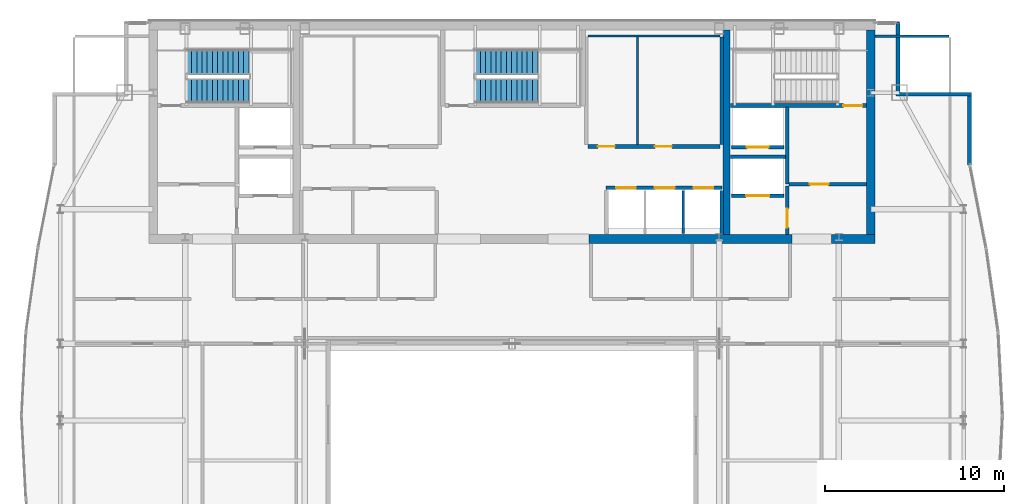
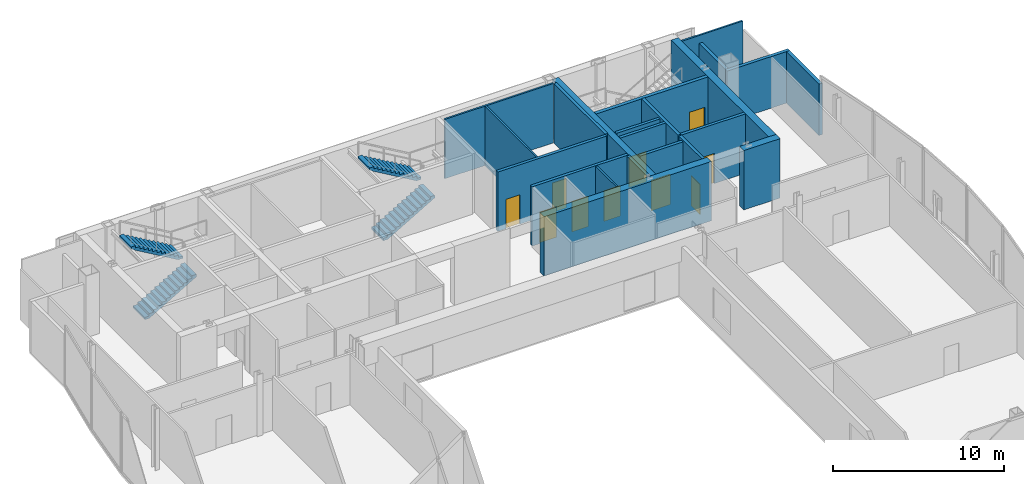
# One storey, part 24 of 27: 22 walls, 10 doors, 4 stair flights, 10 openings, 2 elements without a shape of their own.
"""IFC4 building model written with IfcOpenShell, lengths in metres."""

from ifc_helpers import new_model, si_unit, direction, frame, frame_2d, origin, place, context, subcontext, project, spatial, polyline, rectangle, outline, extrude, material, layer, layer_set, type_object, element, fill, aggregate, save


model = new_model("IFC4")

# Units and contexts
model_context = context("Model", 3, precision=1e-05, world=origin(), true_north=direction((0.0, 1.0)))
body_context = subcontext(model_context, "Body", "Model", "MODEL_VIEW")
ifc_project = project(units=[si_unit("LENGTHUNIT", "METRE"), si_unit("AREAUNIT", "SQUARE_METRE"), si_unit("VOLUMEUNIT", "CUBIC_METRE"), si_unit("PLANEANGLEUNIT", "RADIAN"), si_unit("MASSUNIT", "GRAM", prefix="KILO")], contexts=[model_context])

# Site, building, storey
site_placement = place(None, origin())
site = spatial("IfcSite", under=ifc_project, at=site_placement, CompositionType="ELEMENT")
building_placement = place(site_placement, origin())
building = spatial("IfcBuilding", under=site, at=building_placement, Name="Khoronbel Lancet Exchange", CompositionType="ELEMENT")
storey_placement = place(building_placement, frame((0.0, 0.0, 310.199951171875)))
storey = spatial("IfcBuildingStorey", under=building, at=storey_placement, Name="L80", CompositionType="ELEMENT", Elevation=310.199951171875)

# Walls
ifc_material_1 = material(Name="Concrete C60/75", Category="concrete")
ifc_layer_1 = layer(ifc_material_1, 0.5, Name="Concrete C60/75")
ifc_layer_set_1 = layer_set([ifc_layer_1], Name="Concrete C60/75")
wall_type_1 = type_object("IfcWallType", Name="WL-CW4", PredefinedType="SHEAR", material=ifc_layer_set_1)
wall_1_placement = place(storey_placement, frame((56.449951171875, 53.199951171875, 0.0), z_axis=(0.0, 0.0, 1.0), x_axis=(0.0, -1.0, 0.0)))
element("IfcWall", 1, at=wall_1_placement, inside=storey, type_object=wall_type_1, Name="Level L80 rear core east shear wall", PredefinedType="SHEAR", context=body_context, shape_type="SweptSolid", body=[
    extrude(rectangle(XDim=11.39990234375, YDim=0.5, at=frame_2d((5.699951171875, 0.0))), origin(), (0.0, 0.0, 1.0), 4.239990234375),
])
wall_2_placement = place(storey_placement, frame((52.050048828125, 41.550048828125, 0.0), z_axis=(0.0, 0.0, 1.0), x_axis=(-1.0, 0.0, 0.0)))
element("IfcWall", 2, at=wall_2_placement, inside=storey, type_object=wall_type_1, Name="Level L80 rear core south shear wall pier P4", PredefinedType="SHEAR", context=body_context, shape_type="SweptSolid", body=[
    extrude(rectangle(XDim=11.300048828125, YDim=0.5, at=frame_2d((5.64990234375, 0.0))), origin(), (0.0, 0.0, 1.0), 4.239990234375),
])
wall_3_placement = place(storey_placement, frame((56.699951171875, 41.550048828125, 0.0), z_axis=(0.0, 0.0, 1.0), x_axis=(-1.0, 0.0, 0.0)))
element("IfcWall", 3, at=wall_3_placement, inside=storey, type_object=wall_type_1, Name="Level L80 rear core south shear wall pier P5", PredefinedType="SHEAR", context=body_context, shape_type="SweptSolid", body=[
    extrude(rectangle(XDim=2.449951171875, YDim=0.5, at=frame_2d((1.22509765625, 0.0))), origin(), (0.0, 0.0, 1.0), 4.239990234375),
])
ifc_material_2 = material(Name="Precast concrete C40/50", Category="concrete")
ifc_layer_2 = layer(ifc_material_2, 0.25, Name="Precast concrete C40/50")
ifc_layer_set_2 = layer_set([ifc_layer_2], Name="Precast concrete C40/50")
wall_type_2 = type_object("IfcWallType", Name="WL-EXT250", PredefinedType="SOLIDWALL", material=ifc_layer_set_2)
wall_4_placement = place(storey_placement, frame((57.9599609375, 53.6298828125, 0.0), z_axis=(0.0, 0.0, 1.0), x_axis=(0.0, -1.0, 0.0)))
element("IfcWall", 4, at=wall_4_placement, inside=storey, type_object=wall_type_2, Name="Level L80 notched-corner limestone pier 14", PredefinedType="SOLIDWALL", context=body_context, shape_type="SweptSolid", body=[
    extrude(rectangle(XDim=3.909912109375, YDim=0.219970703125, at=frame_2d((1.955078125, 0.0))), origin(), (0.0, 0.0, 1.0), 3.679931640625),
])
wall_5_placement = place(storey_placement, frame((57.85009765625, 49.610107421875, 0.0), z_axis=(0.0, 0.0, 1.0), x_axis=(1.0, 0.0, 0.0)))
element("IfcWall", 5, at=wall_5_placement, inside=storey, type_object=wall_type_2, Name="Level L80 notched-corner limestone pier 15", PredefinedType="SOLIDWALL", context=body_context, shape_type="SweptSolid", body=[
    extrude(rectangle(XDim=4.219970703125, YDim=0.219970703125, at=frame_2d((2.10986328125, 0.0))), origin(), (0.0, 0.0, 1.0), 3.679931640625),
])
wall_6_placement = place(storey_placement, frame((61.9599609375, 49.5, 0.0), z_axis=(0.0, 0.0, 1.0), x_axis=(0.0, -1.0, 0.0)))
element("IfcWall", 6, at=wall_6_placement, inside=storey, type_object=wall_type_2, Name="Level L80 notched-corner limestone pier 16", PredefinedType="SOLIDWALL", context=body_context, shape_type="SweptSolid", body=[
    extrude(rectangle(XDim=3.82861328125, YDim=0.219970703125, at=frame_2d((1.914306640625, 0.0))), origin(), (0.0, 0.0, 1.0), 3.679931640625),
])
ifc_material_3 = material(Name="Acoustic Metal-Stud & Mineral-Wool Gypsum Partition 120 mm", Category="gypsum")
ifc_layer_3 = layer(ifc_material_3, 0.1201171875, Name="Acoustic Metal-Stud & Mineral-Wool Gypsum Partition 120 mm")
ifc_layer_set_3 = layer_set([ifc_layer_3], Name="Acoustic Metal-Stud & Mineral-Wool Gypsum Partition 120 mm")
wall_type_3 = type_object("IfcWallType", Name="WL-PRT120", PredefinedType="PARTITIONING", material=ifc_layer_set_3)
wall_7_placement = place(storey_placement, frame((56.699951171875, 52.840087890625, 0.0), z_axis=(0.0, 0.0, 1.0), x_axis=(1.0, 0.0, 0.0)))
element("IfcWall", 7, at=wall_7_placement, inside=storey, type_object=wall_type_3, Name="Level L80 interior partition PW-LIN-NE", PredefinedType="PARTITIONING", context=body_context, shape_type="SweptSolid", body=[
    extrude(rectangle(XDim=4.10498046875, YDim=0.1201171875, at=frame_2d((2.052490234375, 0.0))), origin(), (0.0, 0.0, 1.0), 4.239990234375),
])
ifc_material_4 = material(Name="Fire-Rated Metal-Stud & Mineral-Wool Gypsum Partition 120 mm", Category="gypsum")
ifc_layer_4 = layer(ifc_material_4, 0.1201171875, Name="Fire-Rated Metal-Stud & Mineral-Wool Gypsum Partition 120 mm")
ifc_layer_set_4 = layer_set([ifc_layer_4], Name="Fire-Rated Metal-Stud & Mineral-Wool Gypsum Partition 120 mm")
wall_type_4 = type_object("IfcWallType", Name="WL-PRT120F", PredefinedType="PARTITIONING", material=ifc_layer_set_4)
wall_8_placement = place(storey_placement, frame((40.68505859375, 52.860107421875, 0.0), z_axis=(0.0, 0.0, 1.0), x_axis=(1.0, 0.0, 0.0)))
element("IfcWall", 8, at=wall_8_placement, inside=storey, type_object=wall_type_4, Name="Level L80 interior partition CW-PH-RN", PredefinedType="PARTITIONING", context=body_context, shape_type="SweptSolid", body=[
    extrude(rectangle(XDim=7.349853515625, YDim=0.1201171875, at=frame_2d((3.6748046875, 0.0))), origin(), (0.0, 0.0, 1.0), 4.239990234375),
])
wall_9_placement = place(storey_placement, frame((43.452880859375, 46.804931640625, 0.0), z_axis=(0.0, 0.0, 1.0), x_axis=(0.0, 1.0, 0.0)))
element("IfcWall", 9, at=wall_9_placement, inside=storey, type_object=wall_type_4, Name="Level L80 interior partition CW-PH-RS1", PredefinedType="PARTITIONING", context=body_context, shape_type="SweptSolid", body=[
    extrude(rectangle(XDim=5.989990234375, YDim=0.1201171875, at=frame_2d((2.9951171875, 0.0))), origin(), (0.0, 0.0, 1.0), 4.239990234375),
])
wall_10_placement = place(storey_placement, frame((46.0, 41.85009765625, 0.0), z_axis=(0.0, 0.0, 1.0), x_axis=(0.0, 1.0, 0.0)))
element("IfcWall", 10, at=wall_10_placement, inside=storey, type_object=wall_type_4, Name="Level L80 interior partition CW-PX-D2", PredefinedType="PARTITIONING", context=body_context, shape_type="SweptSolid", body=[
    extrude(rectangle(XDim=2.39990234375, YDim=0.1201171875, at=frame_2d((1.199951171875, 0.0))), origin(), (0.0, 0.0, 1.0), 4.239990234375),
])

# Wall, openings, doors
ifc_material_5 = material(Name="Autoclaved Aerated Concrete Blockwork 200 mm", Category="masonry")
ifc_layer_5 = layer(ifc_material_5, 0.199951171875, Name="Autoclaved Aerated Concrete Blockwork 200 mm")
ifc_layer_set_5 = layer_set([ifc_layer_5], Name="Autoclaved Aerated Concrete Blockwork 200 mm")
wall_type_5 = type_object("IfcWallType", Name="WL-PRT200", PredefinedType="PARTITIONING", material=ifc_layer_set_5)
wall_11_placement = place(storey_placement, frame((41.679931640625, 44.39990234375, 0.0), z_axis=(0.0, 0.0, 1.0), x_axis=(1.0, 0.0, 0.0)))
wall_11 = element("IfcWall", 11, at=wall_11_placement, inside=storey, type_object=wall_type_5, Name="Level L80 elevator hoistway landing front wall PXE", PredefinedType="PARTITIONING", context=body_context, shape_type="SweptSolid", body=[
    extrude(rectangle(XDim=6.47998046875, YDim=0.199951171875, at=frame_2d((3.239990234375, 0.0))), origin(), (0.0, 0.0, 1.0), 4.239990234375),
])
opening_1_placement = place(wall_11_placement, frame((0.580078125, 0.0, 0.0)))
opening_1 = element("IfcOpeningElement", 12, at=opening_1_placement, cuts=wall_11, Name="Opening LD-PX1", PredefinedType="OPENING", context=body_context, shape_type="SweptSolid", body=[
    extrude(rectangle(XDim=1.10009765625, YDim=2.179931640625, at=frame_2d((0.550048828125, 1.08984375))), frame((0.0, 0.10986328125, 0.0), z_axis=(0.0, -1.0, 0.0), x_axis=(1.0, 0.0, 0.0)), (0.0, 0.0, 1.0), 0.219970703125),
])
opening_2_placement = place(wall_11_placement, frame((2.739990234375, 0.0, 0.0)))
opening_2 = element("IfcOpeningElement", 13, at=opening_2_placement, cuts=wall_11, Name="Opening LD-PX2", PredefinedType="OPENING", context=body_context, shape_type="SweptSolid", body=[
    extrude(rectangle(XDim=1.10009765625, YDim=2.179931640625, at=frame_2d((0.550048828125, 1.08984375))), frame((0.0, 0.10986328125, 0.0), z_axis=(0.0, -1.0, 0.0), x_axis=(1.0, 0.0, 0.0)), (0.0, 0.0, 1.0), 0.219970703125),
])
opening_3_placement = place(wall_11_placement, frame((4.89990234375, 0.0, 0.0)))
opening_3 = element("IfcOpeningElement", 14, at=opening_3_placement, cuts=wall_11, Name="Opening LD-PX3", PredefinedType="OPENING", context=body_context, shape_type="SweptSolid", body=[
    extrude(rectangle(XDim=1.10009765625, YDim=2.179931640625, at=frame_2d((0.550048828125, 1.08984375))), frame((0.0, 0.10986328125, 0.0), z_axis=(0.0, -1.0, 0.0), x_axis=(1.0, 0.0, 0.0)), (0.0, 0.0, 1.0), 0.219970703125),
])
ifc_material_6 = material(Name="Brushed Bronze Bi-Parting Elevator Landing Door", Category="steel")
door_type_1 = type_object("IfcDoorType", Name="DR-LD-PAX", OperationType="NOTDEFINED", PredefinedType="DOOR", material=ifc_material_6)
door_1_placement = place(opening_1_placement, origin())
door_1 = element("IfcDoor", 15, at=door_1_placement, inside=storey, type_object=door_type_1, Name="Elevator landing sliding door LD-PX1 L80", OperationType="SLIDING_TO_LEFT", OverallHeight=2.179931640625, OverallWidth=1.10009765625, PredefinedType="DOOR", context=body_context, shape_type="SweptSolid", body=[
    extrude(rectangle(XDim=1.10009765625, YDim=2.179931640625, at=frame_2d((0.550048828125, 1.08984375))), frame((0.0, 0.02490234375, 0.0), z_axis=(0.0, -1.0, 0.0), x_axis=(1.0, 0.0, 0.0)), (0.0, 0.0, 1.0), 0.050048828125),
])
fill(opening_1, door_1)
door_2_placement = place(opening_2_placement, origin())
door_2 = element("IfcDoor", 16, at=door_2_placement, inside=storey, type_object=door_type_1, Name="Elevator landing sliding door LD-PX2 L80", OperationType="SLIDING_TO_LEFT", OverallHeight=2.179931640625, OverallWidth=1.10009765625, PredefinedType="DOOR", context=body_context, shape_type="SweptSolid", body=[
    extrude(rectangle(XDim=1.10009765625, YDim=2.179931640625, at=frame_2d((0.550048828125, 1.08984375))), frame((0.0, 0.02490234375, 0.0), z_axis=(0.0, -1.0, 0.0), x_axis=(1.0, 0.0, 0.0)), (0.0, 0.0, 1.0), 0.050048828125),
])
fill(opening_2, door_2)
door_3_placement = place(opening_3_placement, origin())
door_3 = element("IfcDoor", 17, at=door_3_placement, inside=storey, type_object=door_type_1, Name="Elevator landing sliding door LD-PX3 L80", OperationType="SLIDING_TO_LEFT", OverallHeight=2.179931640625, OverallWidth=1.10009765625, PredefinedType="DOOR", context=body_context, shape_type="SweptSolid", body=[
    extrude(rectangle(XDim=1.10009765625, YDim=2.179931640625, at=frame_2d((0.550048828125, 1.08984375))), frame((0.0, 0.02490234375, 0.0), z_axis=(0.0, -1.0, 0.0), x_axis=(1.0, 0.0, 0.0)), (0.0, 0.0, 1.0), 0.050048828125),
])
fill(opening_3, door_3)

# Wall, opening, door
wall_12_placement = place(storey_placement, frame((51.610107421875, 43.949951171875, 0.0), z_axis=(0.0, 0.0, 1.0), x_axis=(-1.0, 0.0, 0.0)))
wall_12 = element("IfcWall", 18, at=wall_12_placement, inside=storey, type_object=wall_type_5, Name="Level L80 elevator hoistway landing front wall SVLE", PredefinedType="PARTITIONING", context=body_context, shape_type="SweptSolid", body=[
    extrude(rectangle(XDim=2.920166015625, YDim=0.199951171875, at=frame_2d((1.4599609375, 0.0))), origin(), (0.0, 0.0, 1.0), 4.239990234375),
])
opening_4_placement = place(wall_12_placement, frame((0.81005859375, 0.0, 0.0)))
opening_4 = element("IfcOpeningElement", 19, at=opening_4_placement, cuts=wall_12, Name="Opening LD-SVL2", PredefinedType="OPENING", context=body_context, shape_type="SweptSolid", body=[
    extrude(rectangle(XDim=1.300048828125, YDim=2.179931640625, at=frame_2d((0.64990234375, 1.08984375))), frame((0.0, 0.10986328125, 0.0), z_axis=(0.0, -1.0, 0.0), x_axis=(1.0, 0.0, 0.0)), (0.0, 0.0, 1.0), 0.219970703125),
])
ifc_material_7 = material(Name="Heavy-Duty Bi-Parting Goods Lift Landing Door", Category="steel")
door_type_2 = type_object("IfcDoorType", Name="DR-LD-SVL", OperationType="NOTDEFINED", PredefinedType="DOOR", material=ifc_material_7)
door_4_placement = place(opening_4_placement, origin())
door_4 = element("IfcDoor", 20, at=door_4_placement, inside=storey, type_object=door_type_2, Name="Elevator landing sliding door LD-SVL2 L80", OperationType="SLIDING_TO_LEFT", OverallHeight=2.179931640625, OverallWidth=1.300048828125, PredefinedType="DOOR", context=body_context, shape_type="SweptSolid", body=[
    extrude(rectangle(XDim=1.300048828125, YDim=2.179931640625, at=frame_2d((0.64990234375, 1.08984375))), frame((0.0, 0.02490234375, 0.0), z_axis=(0.0, -1.0, 0.0), x_axis=(1.0, 0.0, 0.0)), (0.0, 0.0, 1.0), 0.050048828125),
])
fill(opening_4, door_4)

wall_13_placement = place(storey_placement, frame((51.610107421875, 46.64990234375, 0.0), z_axis=(0.0, 0.0, 1.0), x_axis=(-1.0, 0.0, 0.0)))
wall_13 = element("IfcWall", 21, at=wall_13_placement, inside=storey, type_object=wall_type_5, Name="Level L80 elevator hoistway landing front wall FFLE", PredefinedType="PARTITIONING", context=body_context, shape_type="SweptSolid", body=[
    extrude(rectangle(XDim=2.920166015625, YDim=0.199951171875, at=frame_2d((1.4599609375, 0.0))), origin(), (0.0, 0.0, 1.0), 4.239990234375),
])
opening_5_placement = place(wall_13_placement, frame((0.860107421875, 0.0, 0.0)))
opening_5 = element("IfcOpeningElement", 22, at=opening_5_placement, cuts=wall_13, Name="Opening LD-FFL2", PredefinedType="OPENING", context=body_context, shape_type="SweptSolid", body=[
    extrude(rectangle(XDim=1.199951171875, YDim=2.179931640625, at=frame_2d((0.60009765625, 1.08984375))), frame((0.0, 0.10986328125, 0.0), z_axis=(0.0, -1.0, 0.0), x_axis=(1.0, 0.0, 0.0)), (0.0, 0.0, 1.0), 0.219970703125),
])
ifc_material_8 = material(Name="Fire-Rated Stainless Bi-Parting Firefighting Lift Door", Category="steel")
door_type_3 = type_object("IfcDoorType", Name="DR-LD-FFL", OperationType="NOTDEFINED", PredefinedType="DOOR", material=ifc_material_8)
door_5_placement = place(opening_5_placement, origin())
door_5 = element("IfcDoor", 23, at=door_5_placement, inside=storey, type_object=door_type_3, Name="Elevator landing sliding door LD-FFL2 L80", OperationType="SLIDING_TO_LEFT", OverallHeight=2.179931640625, OverallWidth=1.199951171875, PredefinedType="DOOR", context=body_context, shape_type="SweptSolid", body=[
    extrude(rectangle(XDim=1.199951171875, YDim=2.179931640625, at=frame_2d((0.60009765625, 1.08984375))), frame((0.0, 0.02490234375, 0.0), z_axis=(0.0, -1.0, 0.0), x_axis=(1.0, 0.0, 0.0)), (0.0, 0.0, 1.0), 0.050048828125),
])
fill(opening_5, door_5)

# Wall
wall_14_placement = place(storey_placement, frame((51.800048828125, 44.60009765625, 0.0), z_axis=(0.0, 0.0, 1.0), x_axis=(0.0, 1.0, 0.0)))
element("IfcWall", 24, at=wall_14_placement, inside=storey, type_object=wall_type_5, Name="Level L80 interior partition CW-FFLE-W", PredefinedType="PARTITIONING", context=body_context, shape_type="SweptSolid", body=[
    extrude(rectangle(XDim=4.2998046875, YDim=0.199951171875, at=frame_2d((2.14990234375, 0.0))), origin(), (0.0, 0.0, 1.0), 4.239990234375),
])

# Wall, opening, door
wall_15_placement = place(storey_placement, frame((51.89990234375, 44.60009765625, 0.0), z_axis=(0.0, 0.0, 1.0), x_axis=(1.0, 0.0, 0.0)))
wall_15 = element("IfcWall", 25, at=wall_15_placement, inside=storey, type_object=wall_type_5, Name="Level L80 interior partition CW-FFLE-S", PredefinedType="PARTITIONING", context=body_context, shape_type="SweptSolid", body=[
    extrude(rectangle(XDim=4.300048828125, YDim=0.199951171875, at=frame_2d((2.14990234375, 0.0))), origin(), (0.0, 0.0, 1.0), 4.239990234375),
])
opening_6_placement = place(wall_15_placement, frame((1.14990234375, 0.0, 0.0)))
opening_6 = element("IfcOpeningElement", 26, at=opening_6_placement, cuts=wall_15, Name="Opening FD1", PredefinedType="OPENING", context=body_context, shape_type="SweptSolid", body=[
    extrude(rectangle(XDim=1.050048828125, YDim=2.14990234375, at=frame_2d((0.52490234375, 1.074951171875))), frame((0.0, 0.10986328125, 0.0), z_axis=(0.0, -1.0, 0.0), x_axis=(1.0, 0.0, 0.0)), (0.0, 0.0, 1.0), 0.219970703125),
])
ifc_material_9 = material(Name="Fire-Rated Painted Steel Door Assembly", Category="steel")
door_type_4 = type_object("IfcDoorType", Name="DR-FD1", OperationType="NOTDEFINED", PredefinedType="DOOR", material=ifc_material_9)
door_6_placement = place(opening_6_placement, origin())
door_6 = element("IfcDoor", 27, at=door_6_placement, inside=storey, type_object=door_type_4, Name="East firefighting lobby FD90S door L80-1", OperationType="SINGLE_SWING_RIGHT", OverallHeight=2.14990234375, OverallWidth=1.050048828125, PredefinedType="DOOR", context=body_context, shape_type="SweptSolid", body=[
    extrude(rectangle(XDim=1.050048828125, YDim=2.14990234375, at=frame_2d((0.52490234375, 1.074951171875))), frame((0.0, 0.02490234375, 0.0), z_axis=(0.0, -1.0, 0.0), x_axis=(1.0, 0.0, 0.0)), (0.0, 0.0, 1.0), 0.050048828125),
])
fill(opening_6, door_6)

# Wall
wall_16_placement = place(storey_placement, frame((48.6298828125, 46.1201171875, 0.0), z_axis=(0.0, 0.0, 1.0), x_axis=(1.0, 0.0, 0.0)))
element("IfcWall", 28, at=wall_16_placement, inside=storey, type_object=wall_type_5, Name="Level L80 interior partition CW-FFL2-S", PredefinedType="PARTITIONING", context=body_context, shape_type="SweptSolid", body=[
    extrude(rectangle(XDim=3.070068359375, YDim=0.199951171875, at=frame_2d((1.53515625, 0.0))), origin(), (0.0, 0.0, 1.0), 4.239990234375),
])

# Wall, opening, door
wall_17_placement = place(storey_placement, frame((51.800048828125, 41.800048828125, 0.0), z_axis=(0.0, 0.0, 1.0), x_axis=(0.0, 1.0, 0.0)))
wall_17 = element("IfcWall", 29, at=wall_17_placement, inside=storey, type_object=wall_type_5, Name="Level L80 interior partition CW-SVLE-E", PredefinedType="PARTITIONING", context=body_context, shape_type="SweptSolid", body=[
    extrude(rectangle(XDim=2.695068359375, YDim=0.199951171875, at=frame_2d((1.34765625, 0.0))), origin(), (0.0, 0.0, 1.0), 4.239990234375),
])
opening_7_placement = place(wall_17_placement, frame((0.3798828125, 0.0, 0.0)))
opening_7 = element("IfcOpeningElement", 30, at=opening_7_placement, cuts=wall_17, Name="Opening FD1", PredefinedType="OPENING", context=body_context, shape_type="SweptSolid", body=[
    extrude(rectangle(XDim=1.050048828125, YDim=2.14990234375, at=frame_2d((0.52490234375, 1.074951171875))), frame((0.0, 0.10986328125, 0.0), z_axis=(0.0, -1.0, 0.0), x_axis=(1.0, 0.0, 0.0)), (0.0, 0.0, 1.0), 0.219970703125),
])
door_7_placement = place(opening_7_placement, origin())
door_7 = element("IfcDoor", 31, at=door_7_placement, inside=storey, type_object=door_type_4, Name="East service lift lobby door L80-1", OperationType="SINGLE_SWING_LEFT", OverallHeight=2.14990234375, OverallWidth=1.050048828125, PredefinedType="DOOR", context=body_context, shape_type="SweptSolid", body=[
    extrude(rectangle(XDim=1.050048828125, YDim=2.14990234375, at=frame_2d((0.52490234375, 1.074951171875))), frame((0.0, 0.02490234375, 0.0), z_axis=(0.0, -1.0, 0.0), x_axis=(1.0, 0.0, 0.0)), (0.0, 0.0, 1.0), 0.050048828125),
])
fill(opening_7, door_7)

# Wall
wall_18_placement = place(storey_placement, frame((48.139892578125, 46.804931640625, 0.0), z_axis=(0.0, 0.0, 1.0), x_axis=(0.0, 1.0, 0.0)))
element("IfcWall", 32, at=wall_18_placement, inside=storey, type_object=wall_type_5, Name="Level L80 interior partition CW-PH-RE", PredefinedType="PARTITIONING", context=body_context, shape_type="SweptSolid", body=[
    extrude(rectangle(XDim=5.989990234375, YDim=0.199951171875, at=frame_2d((2.9951171875, 0.0))), origin(), (0.0, 0.0, 1.0), 4.239990234375),
])

# Wall, openings, doors
wall_19_placement = place(storey_placement, frame((40.68505859375, 46.699951171875, 0.0), z_axis=(0.0, 0.0, 1.0), x_axis=(1.0, 0.0, 0.0)))
wall_19 = element("IfcWall", 33, at=wall_19_placement, inside=storey, type_object=wall_type_5, Name="Level L80 interior partition CW-PH-RF", PredefinedType="PARTITIONING", context=body_context, shape_type="SweptSolid", body=[
    extrude(rectangle(XDim=7.349853515625, YDim=0.199951171875, at=frame_2d((3.6748046875, 0.0))), origin(), (0.0, 0.0, 1.0), 4.239990234375),
])
opening_8_placement = place(wall_19_placement, frame((0.550048828125, 0.0, 0.0)))
opening_8 = element("IfcOpeningElement", 34, at=opening_8_placement, cuts=wall_19, Name="Opening FD3", PredefinedType="OPENING", context=body_context, shape_type="SweptSolid", body=[
    extrude(rectangle(XDim=0.949951171875, YDim=2.10009765625, at=frame_2d((0.47509765625, 1.050048828125))), frame((0.0, 0.10986328125, 0.0), z_axis=(0.0, -1.0, 0.0), x_axis=(1.0, 0.0, 0.0)), (0.0, 0.0, 1.0), 0.219970703125),
])
opening_9_placement = place(wall_19_placement, frame((3.722900390625, 0.0, 0.0)))
opening_9 = element("IfcOpeningElement", 35, at=opening_9_placement, cuts=wall_19, Name="Opening FD3", PredefinedType="OPENING", context=body_context, shape_type="SweptSolid", body=[
    extrude(rectangle(XDim=0.949951171875, YDim=2.10009765625, at=frame_2d((0.47509765625, 1.050048828125))), frame((0.0, 0.10986328125, 0.0), z_axis=(0.0, -1.0, 0.0), x_axis=(1.0, 0.0, 0.0)), (0.0, 0.0, 1.0), 0.219970703125),
])
ifc_material_10 = material(Name="Fire-Rated Steel Plant & Riser Door Assembly", Category="steel")
door_type_5 = type_object("IfcDoorType", Name="DR-FD3", OperationType="NOTDEFINED", PredefinedType="DOOR", material=ifc_material_10)
door_8_placement = place(opening_8_placement, origin())
door_8 = element("IfcDoor", 36, at=door_8_placement, inside=storey, type_object=door_type_5, Name="Reclaimed PH A door L80-1", OperationType="SINGLE_SWING_RIGHT", OverallHeight=2.10009765625, OverallWidth=0.949951171875, PredefinedType="DOOR", context=body_context, shape_type="SweptSolid", body=[
    extrude(rectangle(XDim=0.949951171875, YDim=2.10009765625, at=frame_2d((0.47509765625, 1.050048828125))), frame((0.0, 0.02490234375, 0.0), z_axis=(0.0, -1.0, 0.0), x_axis=(1.0, 0.0, 0.0)), (0.0, 0.0, 1.0), 0.050048828125),
])
fill(opening_8, door_8)
door_9_placement = place(opening_9_placement, origin())
door_9 = element("IfcDoor", 37, at=door_9_placement, inside=storey, type_object=door_type_5, Name="Reclaimed PH B door L80-2", OperationType="SINGLE_SWING_LEFT", OverallHeight=2.10009765625, OverallWidth=0.949951171875, PredefinedType="DOOR", context=body_context, shape_type="SweptSolid", body=[
    extrude(rectangle(XDim=0.949951171875, YDim=2.10009765625, at=frame_2d((0.47509765625, 1.050048828125))), frame((0.0, 0.02490234375, 0.0), z_axis=(0.0, -1.0, 0.0), x_axis=(1.0, 0.0, 0.0)), (0.0, 0.0, 1.0), 0.050048828125),
])
fill(opening_9, door_9)

# Walls
wall_20_placement = place(storey_placement, frame((48.139892578125, 41.85009765625, 0.0), z_axis=(0.0, 0.0, 1.0), x_axis=(0.0, 1.0, 0.0)))
element("IfcWall", 38, at=wall_20_placement, inside=storey, type_object=wall_type_5, Name="Level L80 interior partition CW-PX-E", PredefinedType="PARTITIONING", context=body_context, shape_type="SweptSolid", body=[
    extrude(rectangle(XDim=2.39990234375, YDim=0.199951171875, at=frame_2d((1.199951171875, 0.0))), origin(), (0.0, 0.0, 1.0), 4.239990234375),
])
ifc_layer_6 = layer(ifc_material_1, 0.39990234375, Name="Concrete C60/75")
ifc_layer_set_6 = layer_set([ifc_layer_6], Name="Concrete C60/75")
wall_type_6 = type_object("IfcWallType", Name="WL-SW2", PredefinedType="SHEAR", material=ifc_layer_set_6)
wall_21_placement = place(storey_placement, frame((48.39990234375, 41.800048828125, 0.0), z_axis=(0.0, 0.0, 1.0), x_axis=(0.0, 1.0, 0.0)))
element("IfcWall", 39, at=wall_21_placement, inside=storey, type_object=wall_type_6, Name="Level L80 rear core internal spine shear wall IE", PredefinedType="SHEAR", context=body_context, shape_type="SweptSolid", body=[
    extrude(rectangle(XDim=11.39990234375, YDim=0.39990234375, at=frame_2d((5.699951171875, 0.0))), origin(), (0.0, 0.0, 1.0), 4.239990234375),
])

# Wall, opening, door
ifc_layer_7 = layer(ifc_material_1, 0.260009765625, Name="Concrete C60/75")
ifc_layer_set_7 = layer_set([ifc_layer_7], Name="Concrete C60/75")
wall_type_7 = type_object("IfcWallType", Name="WL-SW3", PredefinedType="SHEAR", material=ifc_layer_set_7)
wall_22_placement = place(storey_placement, frame((48.6298828125, 48.97998046875, 0.0), z_axis=(0.0, 0.0, 1.0), x_axis=(1.0, 0.0, 0.0)))
wall_22 = element("IfcWall", 40, at=wall_22_placement, inside=storey, type_object=wall_type_7, Name="Level L80 east stairwell structural south wall", PredefinedType="SHEAR", context=body_context, shape_type="SweptSolid", body=[
    extrude(rectangle(XDim=7.570068359375, YDim=0.239990234375, at=frame_2d((3.78515625, 0.0))), origin(), (0.0, 0.0, 1.0), 4.239990234375),
])
opening_10_placement = place(wall_22_placement, frame((6.300048828125, 0.0, 0.0)))
opening_10 = element("IfcOpeningElement", 41, at=opening_10_placement, cuts=wall_22, Name="Opening SD1", PredefinedType="OPENING", context=body_context, shape_type="SweptSolid", body=[
    extrude(rectangle(XDim=1.050048828125, YDim=2.14990234375, at=frame_2d((0.52490234375, 1.074951171875))), frame((0.0, 0.1298828125, 0.0), z_axis=(0.0, -1.0, 0.0), x_axis=(1.0, 0.0, 0.0)), (0.0, 0.0, 1.0), 0.260009765625),
])
ifc_material_11 = material(Name="Fire-Rated Steel Stairwell Door Assembly", Category="steel")
door_type_6 = type_object("IfcDoorType", Name="DR-SD1", OperationType="NOTDEFINED", PredefinedType="DOOR", material=ifc_material_11)
door_10_placement = place(opening_10_placement, origin())
door_10 = element("IfcDoor", 42, at=door_10_placement, inside=storey, type_object=door_type_6, Name="Protected exit stair ST2 door L80", OperationType="SINGLE_SWING_RIGHT", OverallHeight=2.14990234375, OverallWidth=1.050048828125, PredefinedType="DOOR", context=body_context, shape_type="SweptSolid", body=[
    extrude(rectangle(XDim=1.050048828125, YDim=2.14990234375, at=frame_2d((0.52490234375, 1.074951171875))), frame((0.0, 0.02490234375, 0.0), z_axis=(0.0, -1.0, 0.0), x_axis=(1.0, 0.0, 0.0)), (0.0, 0.0, 1.0), 0.050048828125),
])
fill(opening_10, door_10)

# Stair, stair flights
ifc_material_12 = material(Name="Concrete C40/50", Category="concrete")
stair_type = type_object("IfcStairType", Name="STR-CORE150", PredefinedType="HALF_TURN_STAIR", material=ifc_material_12)
stair_1_placement = place(storey_placement, origin())
stair_1 = element("IfcStair", 43, at=stair_1_placement, inside=storey, type_object=stair_type, Name="L80 Protected Exit Stair ST1", PredefinedType="HALF_TURN_STAIR")
stair_flight_type = type_object("IfcStairFlightType", Name="STF-150", PredefinedType="STRAIGHT", material=ifc_material_12)
stair_flight_1_placement = place(storey_placement, frame((18.300048828125, 49.81005859375, 0.0), z_axis=(0.0, 0.0, 1.0), x_axis=(1.0, 0.0, 0.0)))
stair_flight_1 = element("IfcStairFlight", 44, at=stair_flight_1_placement, type_object=stair_flight_type, Name="ST1 flight 1", NumberOfRisers=13, NumberOfTreads=12, PredefinedType="STRAIGHT", RiserHeight=0.169230769, TreadLength=0.29, context=body_context, shape_type="SweptSolid", body=[
    extrude(outline(polyline([(0.0, 0.0), (0.0, 0.169189453125), (0.2900390625, 0.169189453125), (0.2900390625, 0.33837890625), (0.580078125, 0.33837890625), (0.580078125, 0.5078125), (0.8701171875, 0.5078125), (0.8701171875, 0.677001953125), (1.159912109375, 0.677001953125), (1.159912109375, 0.84619140625), (1.449951171875, 0.84619140625), (1.449951171875, 1.015380859375), (1.739990234375, 1.015380859375), (1.739990234375, 1.1845703125), (2.030029296875, 1.1845703125), (2.030029296875, 1.353759765625), (2.320068359375, 1.353759765625), (2.320068359375, 1.523193359375), (2.610107421875, 1.523193359375), (2.610107421875, 1.6923828125), (2.89990234375, 1.6923828125), (2.89990234375, 1.861572265625), (3.18994140625, 1.861572265625), (3.18994140625, 2.03076171875), (3.47998046875, 2.03076171875), (3.47998046875, 2.199951171875), (3.47998046875, 1.857177734375), (0.29736328125, 0.0), (0.0, 0.0)])), frame((0.0, 0.68994140625, 0.0), z_axis=(0.0, -1.0, 0.0), x_axis=(1.0, 0.0, 0.0)), (0.0, 0.0, 1.0), 1.3798828125),
])
stair_flight_2_placement = place(storey_placement, frame((21.780029296875, 51.409912109375, 2.199951171875), z_axis=(0.0, 0.0, 1.0), x_axis=(-1.0, 0.0, 0.0)))
stair_flight_2 = element("IfcStairFlight", 45, at=stair_flight_2_placement, type_object=stair_flight_type, Name="ST1 flight 2", NumberOfRisers=13, NumberOfTreads=12, PredefinedType="STRAIGHT", RiserHeight=0.169230769, TreadLength=0.29, context=body_context, shape_type="SweptSolid", body=[
    extrude(outline(polyline([(0.0, 0.0), (0.0, 0.169189453125), (0.2900390625, 0.169189453125), (0.2900390625, 0.33837890625), (0.580078125, 0.33837890625), (0.580078125, 0.5078125), (0.8701171875, 0.5078125), (0.8701171875, 0.677001953125), (1.159912109375, 0.677001953125), (1.159912109375, 0.84619140625), (1.449951171875, 0.84619140625), (1.449951171875, 1.015380859375), (1.739990234375, 1.015380859375), (1.739990234375, 1.1845703125), (2.030029296875, 1.1845703125), (2.030029296875, 1.353759765625), (2.320068359375, 1.353759765625), (2.320068359375, 1.523193359375), (2.610107421875, 1.523193359375), (2.610107421875, 1.6923828125), (2.89990234375, 1.6923828125), (2.89990234375, 1.861572265625), (3.18994140625, 1.861572265625), (3.18994140625, 2.03076171875), (3.47998046875, 2.03076171875), (3.47998046875, 2.199951171875), (3.47998046875, 1.857177734375), (0.29736328125, 0.0), (0.0, 0.0)])), frame((0.0, 0.68994140625, 0.0), z_axis=(0.0, -1.0, 0.0), x_axis=(1.0, 0.0, 0.0)), (0.0, 0.0, 1.0), 1.3798828125),
])
aggregate(stair_1, [stair_flight_1, stair_flight_2])

stair_2_placement = place(storey_placement, origin())
stair_2 = element("IfcStair", 46, at=stair_2_placement, inside=storey, type_object=stair_type, Name="L80 Protected Exit Stair ST3", PredefinedType="HALF_TURN_STAIR")
stair_flight_3_placement = place(storey_placement, frame((34.39990234375, 49.81005859375, 0.0), z_axis=(0.0, 0.0, 1.0), x_axis=(1.0, 0.0, 0.0)))
stair_flight_3 = element("IfcStairFlight", 47, at=stair_flight_3_placement, type_object=stair_flight_type, Name="ST3 flight 1", NumberOfRisers=13, NumberOfTreads=12, PredefinedType="STRAIGHT", RiserHeight=0.169230769, TreadLength=0.29, context=body_context, shape_type="SweptSolid", body=[
    extrude(outline(polyline([(0.0, 0.0), (0.0, 0.169189453125), (0.2900390625, 0.169189453125), (0.2900390625, 0.33837890625), (0.580078125, 0.33837890625), (0.580078125, 0.5078125), (0.8701171875, 0.5078125), (0.8701171875, 0.677001953125), (1.159912109375, 0.677001953125), (1.159912109375, 0.84619140625), (1.449951171875, 0.84619140625), (1.449951171875, 1.015380859375), (1.739990234375, 1.015380859375), (1.739990234375, 1.1845703125), (2.030029296875, 1.1845703125), (2.030029296875, 1.353759765625), (2.320068359375, 1.353759765625), (2.320068359375, 1.523193359375), (2.610107421875, 1.523193359375), (2.610107421875, 1.6923828125), (2.89990234375, 1.6923828125), (2.89990234375, 1.861572265625), (3.18994140625, 1.861572265625), (3.18994140625, 2.03076171875), (3.47998046875, 2.03076171875), (3.47998046875, 2.199951171875), (3.47998046875, 1.857177734375), (0.29736328125, 0.0), (0.0, 0.0)])), frame((0.0, 0.68994140625, 0.0), z_axis=(0.0, -1.0, 0.0), x_axis=(1.0, 0.0, 0.0)), (0.0, 0.0, 1.0), 1.3798828125),
])
stair_flight_4_placement = place(storey_placement, frame((37.8798828125, 51.409912109375, 2.199951171875), z_axis=(0.0, 0.0, 1.0), x_axis=(-1.0, 0.0, 0.0)))
stair_flight_4 = element("IfcStairFlight", 48, at=stair_flight_4_placement, type_object=stair_flight_type, Name="ST3 flight 2", NumberOfRisers=13, NumberOfTreads=12, PredefinedType="STRAIGHT", RiserHeight=0.169230769, TreadLength=0.29, context=body_context, shape_type="SweptSolid", body=[
    extrude(outline(polyline([(0.0, 0.0), (0.0, 0.169189453125), (0.2900390625, 0.169189453125), (0.2900390625, 0.33837890625), (0.580078125, 0.33837890625), (0.580078125, 0.5078125), (0.8701171875, 0.5078125), (0.8701171875, 0.677001953125), (1.159912109375, 0.677001953125), (1.159912109375, 0.84619140625), (1.449951171875, 0.84619140625), (1.449951171875, 1.015380859375), (1.739990234375, 1.015380859375), (1.739990234375, 1.1845703125), (2.030029296875, 1.1845703125), (2.030029296875, 1.353759765625), (2.320068359375, 1.353759765625), (2.320068359375, 1.523193359375), (2.610107421875, 1.523193359375), (2.610107421875, 1.6923828125), (2.89990234375, 1.6923828125), (2.89990234375, 1.861572265625), (3.18994140625, 1.861572265625), (3.18994140625, 2.03076171875), (3.47998046875, 2.03076171875), (3.47998046875, 2.199951171875), (3.47998046875, 1.857177734375), (0.29736328125, 0.0), (0.0, 0.0)])), frame((0.0, 0.68994140625, 0.0), z_axis=(0.0, -1.0, 0.0), x_axis=(1.0, 0.0, 0.0)), (0.0, 0.0, 1.0), 1.3798828125),
])
aggregate(stair_2, [stair_flight_3, stair_flight_4])

save(model, "model.ifc")
